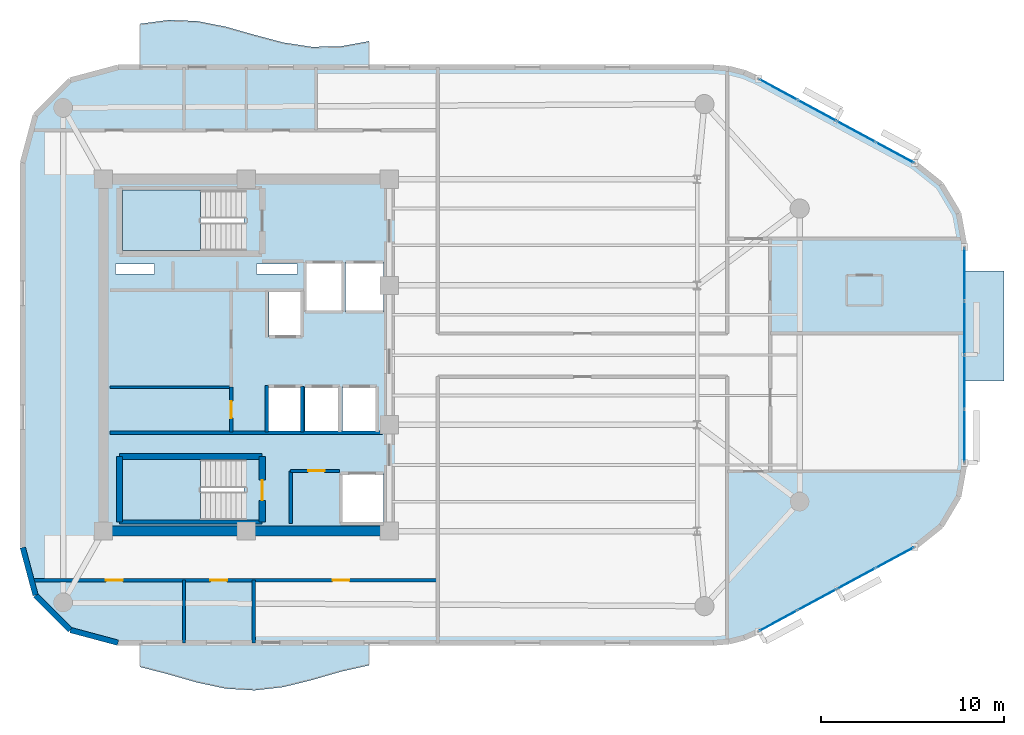
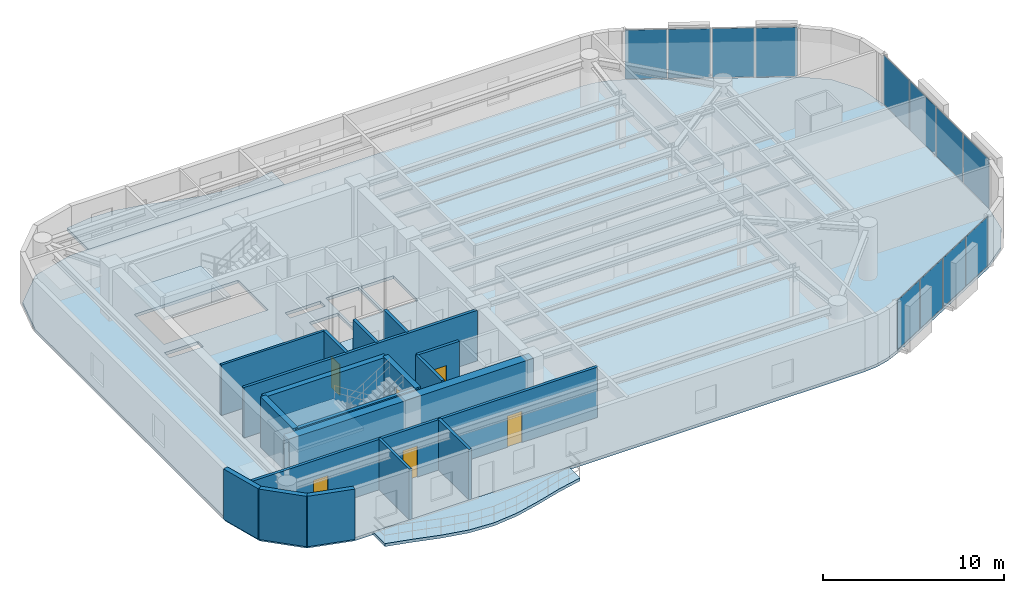
# One storey, part 8 of 13: 18 walls, 12 plates, 6 doors, 6 slabs, 6 openings, 5 elements without a shape of their own.
"""IFC4 building model written with IfcOpenShell, lengths in metres."""

from ifc_helpers import new_model, si_unit, direction, frame, frame_2d, origin, origin_2d, place, context, subcontext, project, spatial, polyline, rectangle, outline, extrude, material, layer, layer_set, type_object, element, fill, aggregate, save


model = new_model("IFC4")

# Units and contexts
model_context = context("Model", 3, precision=1e-05, world=origin(), true_north=direction((0.0, 1.0)))
body_context = subcontext(model_context, "Body", "Model", "MODEL_VIEW")
ifc_project = project(units=[si_unit("LENGTHUNIT", "METRE"), si_unit("AREAUNIT", "SQUARE_METRE"), si_unit("VOLUMEUNIT", "CUBIC_METRE"), si_unit("PLANEANGLEUNIT", "RADIAN"), si_unit("MASSUNIT", "GRAM", prefix="KILO")], contexts=[model_context])

# Site, building, storey
site_placement = place(None, origin())
site = spatial("IfcSite", under=ifc_project, at=site_placement, CompositionType="ELEMENT")
building_placement = place(site_placement, origin())
building = spatial("IfcBuilding", under=site, at=building_placement, Name="An Khanh Terracotta Commons", CompositionType="ELEMENT")
storey_placement = place(building_placement, frame((0.0, 0.0, 233.699951171875)))
storey = spatial("IfcBuildingStorey", under=building, at=storey_placement, Name="L61", CompositionType="ELEMENT", Elevation=233.699951171875)

# Curtain wall, plates
ifc_material_1 = material(Name="Anodised Aluminium 6063-T6", Category="aluminium")
ifc_layer_1 = layer(ifc_material_1, 0.2099609375, Name="Anodised Aluminium 6063-T6")
ifc_layer_set_1 = layer_set([ifc_layer_1], Name="Anodised Aluminium 6063-T6")
curtain_wall_type = type_object("IfcCurtainWallType", Name="CW-SYS-03", PredefinedType="USERDEFINED", material=ifc_layer_set_1)
curtain_wall_1_placement = place(storey_placement, origin())
curtain_wall_1 = element("IfcCurtainWall", 1, at=curtain_wall_1_placement, inside=storey, type_object=curtain_wall_type, Name="L61 CW-03 Unitised Curtain Wall CW-L61-08", ObjectType="UNITISED CURTAIN WALL", PredefinedType="USERDEFINED")
ifc_material_2 = material(Name="Acoustic Laminated Low-E Glazing", Category="glass")
ifc_layer_2 = layer(ifc_material_2, 0.035888671875, Name="Acoustic Laminated Low-E Glazing")
ifc_layer_set_2 = layer_set([ifc_layer_2], Name="Acoustic Laminated Low-E Glazing")
plate_type = type_object("IfcPlateType", Name="CWP-IGU-36", PredefinedType="CURTAIN_PANEL", material=ifc_layer_set_2)
plate_1_placement = place(storey_placement, frame((58.436767578125, 9.508544921875, 0.0498046875), z_axis=(0.0, 0.0, 1.0), x_axis=(0.879780095306, 0.47538088298, 0.0)))
plate_1 = element("IfcPlate", 2, at=plate_1_placement, type_object=plate_type, Name="CW-03 panel 1.1", PredefinedType="CURTAIN_PANEL", context=body_context, shape_type="SweptSolid", body=[
    extrude(rectangle(XDim=2.314697265625, YDim=0.035888671875, at=origin_2d()), origin(), (0.0, 0.0, 1.0), 3.300048828125),
])
plate_2_placement = place(storey_placement, frame((60.550048828125, 10.650390625, 0.0498046875), z_axis=(0.0, 0.0, 1.0), x_axis=(0.879780095306, 0.47538088298, 0.0)))
plate_2 = element("IfcPlate", 3, at=plate_2_placement, type_object=plate_type, Name="CW-03 panel 2.1", PredefinedType="CURTAIN_PANEL", context=body_context, shape_type="SweptSolid", body=[
    extrude(rectangle(XDim=2.349609375, YDim=0.035888671875, at=origin_2d()), origin(), (0.0, 0.0, 1.0), 3.300048828125),
])
plate_3_placement = place(storey_placement, frame((62.678955078125, 11.800537109375, 0.0498046875), z_axis=(0.0, 0.0, 1.0), x_axis=(0.879780095306, 0.47538088298, 0.0)))
plate_3 = element("IfcPlate", 4, at=plate_3_placement, type_object=plate_type, Name="CW-03 panel 3.1", PredefinedType="CURTAIN_PANEL", context=body_context, shape_type="SweptSolid", body=[
    extrude(rectangle(XDim=2.349609375, YDim=0.035888671875, at=origin_2d()), origin(), (0.0, 0.0, 1.0), 3.300048828125),
])
plate_4_placement = place(storey_placement, frame((64.792236328125, 12.942626953125, 0.0498046875), z_axis=(0.0, 0.0, 1.0), x_axis=(0.879780095306, 0.47538088298, 0.0)))
plate_4 = element("IfcPlate", 5, at=plate_4_placement, type_object=plate_type, Name="CW-03 panel 4.1", PredefinedType="CURTAIN_PANEL", context=body_context, shape_type="SweptSolid", body=[
    extrude(rectangle(XDim=2.314697265625, YDim=0.035888671875, at=origin_2d()), origin(), (0.0, 0.0, 1.0), 3.300048828125),
])
aggregate(curtain_wall_1, [plate_1, plate_2, plate_3, plate_4])

curtain_wall_2_placement = place(storey_placement, origin())
curtain_wall_2 = element("IfcCurtainWall", 6, at=curtain_wall_2_placement, inside=storey, type_object=curtain_wall_type, Name="L61 CW-03 Unitised Curtain Wall CW-L61-12", ObjectType="UNITISED CURTAIN WALL", PredefinedType="USERDEFINED")
plate_5_placement = place(storey_placement, frame((68.60009765625, 19.59326171875, 0.0498046875), z_axis=(0.0, 0.0, 1.0), x_axis=(0.0, 1.0, 0.0)))
plate_5 = element("IfcPlate", 7, at=plate_5_placement, type_object=plate_type, Name="CW-03 panel 1.1", PredefinedType="CURTAIN_PANEL", context=body_context, shape_type="SweptSolid", body=[
    extrude(rectangle(XDim=2.844482421875, YDim=0.035888671875, at=origin_2d()), origin(), (0.0, 0.0, 1.0), 3.300048828125),
])
plate_6_placement = place(storey_placement, frame((68.60009765625, 22.525146484375, 0.0498046875), z_axis=(0.0, 0.0, 1.0), x_axis=(0.0, 1.0, 0.0)))
plate_6 = element("IfcPlate", 8, at=plate_6_placement, type_object=plate_type, Name="CW-03 panel 2.1", PredefinedType="CURTAIN_PANEL", context=body_context, shape_type="SweptSolid", body=[
    extrude(rectangle(XDim=2.87939453125, YDim=0.035888671875, at=origin_2d()), origin(), (0.0, 0.0, 1.0), 3.300048828125),
])
plate_7_placement = place(storey_placement, frame((68.60009765625, 25.474853515625, 0.0498046875), z_axis=(0.0, 0.0, 1.0), x_axis=(0.0, 1.0, 0.0)))
plate_7 = element("IfcPlate", 9, at=plate_7_placement, type_object=plate_type, Name="CW-03 panel 3.1", PredefinedType="CURTAIN_PANEL", context=body_context, shape_type="SweptSolid", body=[
    extrude(rectangle(XDim=2.87939453125, YDim=0.035888671875, at=origin_2d()), origin(), (0.0, 0.0, 1.0), 3.300048828125),
])
plate_8_placement = place(storey_placement, frame((68.60009765625, 28.40673828125, 0.0498046875), z_axis=(0.0, 0.0, 1.0), x_axis=(0.0, 1.0, 0.0)))
plate_8 = element("IfcPlate", 10, at=plate_8_placement, type_object=plate_type, Name="CW-03 panel 4.1", PredefinedType="CURTAIN_PANEL", context=body_context, shape_type="SweptSolid", body=[
    extrude(rectangle(XDim=2.844482421875, YDim=0.035888671875, at=origin_2d()), origin(), (0.0, 0.0, 1.0), 3.300048828125),
])
aggregate(curtain_wall_2, [plate_5, plate_6, plate_7, plate_8])

curtain_wall_3_placement = place(storey_placement, origin())
curtain_wall_3 = element("IfcCurtainWall", 11, at=curtain_wall_3_placement, inside=storey, type_object=curtain_wall_type, Name="L61 CW-03 Unitised Curtain Wall CW-L61-16", ObjectType="UNITISED CURTAIN WALL", PredefinedType="USERDEFINED")
plate_9_placement = place(storey_placement, frame((64.792236328125, 35.057373046875, 0.0498046875), z_axis=(0.0, 0.0, 1.0), x_axis=(-0.879780095306, 0.47538088298, 0.0)))
plate_9 = element("IfcPlate", 12, at=plate_9_placement, type_object=plate_type, Name="CW-03 panel 1.1", PredefinedType="CURTAIN_PANEL", context=body_context, shape_type="SweptSolid", body=[
    extrude(rectangle(XDim=2.314697265625, YDim=0.035888671875, at=origin_2d()), origin(), (0.0, 0.0, 1.0), 3.300048828125),
])
plate_10_placement = place(storey_placement, frame((62.678955078125, 36.199462890625, 0.0498046875), z_axis=(0.0, 0.0, 1.0), x_axis=(-0.879780095306, 0.47538088298, 0.0)))
plate_10 = element("IfcPlate", 13, at=plate_10_placement, type_object=plate_type, Name="CW-03 panel 2.1", PredefinedType="CURTAIN_PANEL", context=body_context, shape_type="SweptSolid", body=[
    extrude(rectangle(XDim=2.349609375, YDim=0.035888671875, at=origin_2d()), origin(), (0.0, 0.0, 1.0), 3.300048828125),
])
plate_11_placement = place(storey_placement, frame((60.550048828125, 37.349609375, 0.0498046875), z_axis=(0.0, 0.0, 1.0), x_axis=(-0.879780095306, 0.47538088298, 0.0)))
plate_11 = element("IfcPlate", 14, at=plate_11_placement, type_object=plate_type, Name="CW-03 panel 3.1", PredefinedType="CURTAIN_PANEL", context=body_context, shape_type="SweptSolid", body=[
    extrude(rectangle(XDim=2.349609375, YDim=0.035888671875, at=origin_2d()), origin(), (0.0, 0.0, 1.0), 3.300048828125),
])
plate_12_placement = place(storey_placement, frame((58.436767578125, 38.491455078125, 0.0498046875), z_axis=(0.0, 0.0, 1.0), x_axis=(-0.879780095306, 0.47538088298, 0.0)))
plate_12 = element("IfcPlate", 15, at=plate_12_placement, type_object=plate_type, Name="CW-03 panel 4.1", PredefinedType="CURTAIN_PANEL", context=body_context, shape_type="SweptSolid", body=[
    extrude(rectangle(XDim=2.314697265625, YDim=0.035888671875, at=origin_2d()), origin(), (0.0, 0.0, 1.0), 3.300048828125),
])
aggregate(curtain_wall_3, [plate_9, plate_10, plate_11, plate_12])

# Slabs
ifc_material_3 = material(Name="Concrete C40/50", Category="concrete")
ifc_layer_3 = layer(ifc_material_3, 0.199951171875, Name="Concrete C40/50")
ifc_layer_set_3 = layer_set([ifc_layer_3], Name="Concrete C40/50")
slab_type_1 = type_object("IfcSlabType", Name="SLAB-BALC-200", PredefinedType="FLOOR", material=ifc_layer_set_3)
slab_1_placement = place(storey_placement, frame((0.0, 0.0, -0.199951171875)))
element("IfcSlab", 16, at=slab_1_placement, inside=storey, type_object=slab_type_1, Name="L61 S Sinusoidal Wave Balcony Slab", PredefinedType="FLOOR", context=body_context, shape_type="SweptSolid", body=[
    extrude(outline(polyline([(23.60009765625, 8.300048828125), (23.60009765625, 6.97998046875), (25.1630859375, 6.577880859375), (26.72509765625, 6.12890625), (28.2880859375, 5.797119140625), (29.85009765625, 5.7041015625), (31.4130859375, 5.882080078125), (32.97509765625, 6.26806640625), (34.5380859375, 6.719970703125), (36.10009765625, 7.073974609375), (36.10009765625, 8.300048828125), (23.60009765625, 8.300048828125)])), origin(), (0.0, 0.0, 1.0), 0.199951171875),
])
slab_2_placement = place(storey_placement, frame((0.0, 0.0, -0.199951171875)))
element("IfcSlab", 17, at=slab_2_placement, inside=storey, type_object=slab_type_1, Name="L61 N Sinusoidal Wave Balcony Slab", PredefinedType="FLOOR", context=body_context, shape_type="SweptSolid", body=[
    extrude(outline(polyline([(36.10009765625, 39.699951171875), (36.10009765625, 41.133056640625), (34.5380859375, 40.85009765625), (32.97509765625, 40.822021484375), (31.4130859375, 41.06005859375), (29.85009765625, 41.47607421875), (28.2880859375, 41.919921875), (26.72509765625, 42.22802734375), (25.1630859375, 42.2890625), (23.60009765625, 42.080078125), (23.60009765625, 39.699951171875), (36.10009765625, 39.699951171875)])), origin(), (0.0, 0.0, 1.0), 0.199951171875),
])
ifc_layer_4 = layer(ifc_material_3, 0.22998046875, Name="Concrete C40/50")
ifc_layer_set_4 = layer_set([ifc_layer_4], Name="Concrete C40/50")
slab_type_2 = type_object("IfcSlabType", Name="SLAB-BOXROOF-230", PredefinedType="ROOF", material=ifc_layer_set_4)
slab_3_placement = place(storey_placement, frame((0.0, 0.0, -0.199951171875)))
element("IfcSlab", 18, at=slab_3_placement, inside=storey, type_object=slab_type_2, Name="L61 Shifted Social Kitchen Box Closing Roof Slab (L60)", PredefinedType="ROOF", context=body_context, shape_type="SweptSolid", body=[
    extrude(outline(polyline([(68.60009765625, 22.60009765625), (70.75, 22.60009765625), (70.75, 28.60009765625), (68.60009765625, 28.60009765625), (68.60009765625, 22.60009765625)])), origin(), (0.0, 0.0, 1.0), 0.199951171875),
])

# Stair, slab
ifc_material_4 = material(Name="Precast concrete C40/50", Category="concrete")
stair_type = type_object("IfcStairType", Name="STAIR-CORE-1550", PredefinedType="HALF_TURN_STAIR", material=ifc_material_4)
stair_1_placement = place(storey_placement, origin())
stair_1 = element("IfcStair", 19, at=stair_1_placement, inside=storey, type_object=stair_type, Name="L61 Core Smokeproof Exit Stair ST-01", PredefinedType="HALF_TURN_STAIR")
ifc_layer_5 = layer(ifc_material_3, 0.18994140625, Name="Concrete C40/50")
ifc_layer_set_5 = layer_set([ifc_layer_5], Name="Concrete C40/50")
slab_type_3 = type_object("IfcSlabType", Name="SLAB-LANDING-190", PredefinedType="LANDING", material=ifc_layer_set_5)
slab_4_placement = place(storey_placement, frame((0.0, 0.0, 1.60009765625)))
slab_4 = element("IfcSlab", 20, at=slab_4_placement, type_object=slab_type_3, Name="ST-01 landing 1", PredefinedType="LANDING", context=body_context, shape_type="SweptSolid", body=[
    extrude(outline(polyline([(26.889892578125, 33.0), (22.64990234375, 33.0), (22.64990234375, 29.699951171875), (26.889892578125, 29.699951171875), (26.889892578125, 33.0)])), origin(), (0.0, 0.0, 1.0), 0.199951171875),
])
aggregate(stair_1, [slab_4])

stair_2_placement = place(storey_placement, origin())
stair_2 = element("IfcStair", 21, at=stair_2_placement, inside=storey, type_object=stair_type, Name="L61 Core Smokeproof Exit Stair ST-02", PredefinedType="HALF_TURN_STAIR")
slab_5_placement = place(storey_placement, frame((0.0, 0.0, 1.60009765625)))
slab_5 = element("IfcSlab", 22, at=slab_5_placement, type_object=slab_type_3, Name="ST-02 landing 1", PredefinedType="LANDING", context=body_context, shape_type="SweptSolid", body=[
    extrude(outline(polyline([(26.889892578125, 18.300048828125), (22.64990234375, 18.300048828125), (22.64990234375, 15.0), (26.889892578125, 15.0), (26.889892578125, 18.300048828125)])), origin(), (0.0, 0.0, 1.0), 0.199951171875),
])
aggregate(stair_2, [slab_5])

# Slab
ifc_layer_6 = layer(ifc_material_3, 0.199951171875, Name="Concrete C40/50")
ifc_layer_set_6 = layer_set([ifc_layer_6], Name="Concrete C40/50")
slab_type_4 = type_object("IfcSlabType", Name="SLAB-TYP-200", PredefinedType="FLOOR", material=ifc_layer_set_6)
slab_6_placement = place(storey_placement, frame((0.0, 0.0, -0.199951171875)))
element("IfcSlab", 23, at=slab_6_placement, inside=storey, type_object=slab_type_4, Name="L61 Structural Floor Slab", PredefinedType="FLOOR", context=body_context, shape_type="SweptSolid", body=[
    extrude(outline(polyline([(17.199951171875, 13.5), (17.89697265625, 10.89990234375), (19.800048828125, 8.9970703125), (22.39990234375, 8.300048828125), (54.885009765625, 8.300048828125), (55.739990234375, 8.37109375), (56.571044921875, 8.5810546875), (57.35693359375, 8.925048828125), (65.8720703125, 13.52587890625), (67.320068359375, 14.68408203125), (68.26904296875, 16.27587890625), (68.60009765625, 18.10107421875), (68.60009765625, 29.89892578125), (68.26904296875, 31.72412109375), (67.320068359375, 33.31591796875), (65.8720703125, 34.47412109375), (57.35693359375, 39.074951171875), (56.571044921875, 39.4189453125), (55.739990234375, 39.62890625), (54.885009765625, 39.699951171875), (22.39990234375, 39.699951171875), (19.800048828125, 39.0029296875), (17.89697265625, 37.10009765625), (17.199951171875, 34.5), (17.199951171875, 13.5)]), holes=[polyline([(22.64990234375, 29.699951171875), (29.27001953125, 29.699951171875), (29.27001953125, 33.0), (22.64990234375, 33.0), (22.64990234375, 29.699951171875)]), polyline([(22.64990234375, 15.0), (29.27001953125, 15.0), (29.27001953125, 18.300048828125), (22.64990234375, 18.300048828125), (22.64990234375, 15.0)]), polyline([(32.60009765625, 26.35009765625), (34.679931640625, 26.35009765625), (34.679931640625, 29.080078125), (32.60009765625, 29.080078125), (32.60009765625, 26.35009765625)]), polyline([(34.820068359375, 26.35009765625), (36.89990234375, 26.35009765625), (36.89990234375, 29.080078125), (34.820068359375, 29.080078125), (34.820068359375, 26.35009765625)]), polyline([(34.550048828125, 14.800048828125), (36.89990234375, 14.800048828125), (36.89990234375, 17.550048828125), (34.550048828125, 17.550048828125), (34.550048828125, 14.800048828125)]), polyline([(30.639892578125, 25.0), (32.4599609375, 25.0), (32.4599609375, 27.5), (30.639892578125, 27.5), (30.639892578125, 25.0)]), polyline([(30.56005859375, 19.800048828125), (32.4599609375, 19.800048828125), (32.4599609375, 22.300048828125), (30.56005859375, 22.300048828125), (30.56005859375, 19.800048828125)]), polyline([(32.60009765625, 19.800048828125), (34.5, 19.800048828125), (34.5, 22.300048828125), (32.60009765625, 22.300048828125), (32.60009765625, 19.800048828125)]), polyline([(34.639892578125, 19.800048828125), (36.5400390625, 19.800048828125), (36.5400390625, 22.300048828125), (34.639892578125, 22.300048828125), (34.639892578125, 19.800048828125)]), polyline([(22.25, 28.419921875), (24.39990234375, 28.419921875), (24.39990234375, 28.97998046875), (22.25, 28.97998046875), (22.25, 28.419921875)]), polyline([(29.949951171875, 28.419921875), (32.199951171875, 28.419921875), (32.199951171875, 28.97998046875), (29.949951171875, 28.97998046875), (29.949951171875, 28.419921875)])]), origin(), (0.0, 0.0, 1.0), 0.199951171875),
])

# Walls
ifc_material_5 = material(Name="Concrete C50/60", Category="concrete")
ifc_layer_7 = layer(ifc_material_5, 0.550048828125, Name="Concrete C50/60")
ifc_layer_set_7 = layer_set([ifc_layer_7], Name="Concrete C50/60")
wall_type_1 = type_object("IfcWallType", Name="WALL-CORE-550", PredefinedType="SHEAR", material=ifc_layer_set_7)
wall_1_placement = place(storey_placement, frame((37.199951171875, 14.39990234375, 0.0), z_axis=(0.0, 0.0, 1.0), x_axis=(-1.0, 0.0, 0.0)))
element("IfcWall", 24, at=wall_1_placement, inside=storey, type_object=wall_type_1, Name="L61 Core Wall CWALL-L61-S", PredefinedType="SHEAR", context=body_context, shape_type="SweptSolid", body=[
    extrude(rectangle(XDim=15.599853515625, YDim=0.550048828125, at=frame_2d((7.7998046875, 0.0))), origin(), (0.0, 0.0, 1.0), 3.400146484375),
])
ifc_material_6 = material(Name="Fire-Rated Gypsum Board on Steel Stud", Category="steel")
ifc_layer_8 = layer(ifc_material_6, 0.179931640625, Name="Fire-Rated Gypsum Board on Steel Stud")
ifc_layer_set_8 = layer_set([ifc_layer_8], Name="Fire-Rated Gypsum Board on Steel Stud")
wall_type_2 = type_object("IfcWallType", Name="WALL-CORR-180", PredefinedType="PARTITIONING", material=ifc_layer_set_8)
wall_2_placement = place(storey_placement, frame((21.949951171875, 19.760009765625, 0.0), z_axis=(0.0, 0.0, 1.0), x_axis=(1.0, 0.0, 0.0)))
element("IfcWall", 25, at=wall_2_placement, inside=storey, type_object=wall_type_2, Name="L61 Core Wall SVW-L61-N", PredefinedType="PARTITIONING", context=body_context, shape_type="SweptSolid", body=[
    extrude(rectangle(XDim=14.8701171875, YDim=0.179931640625, at=frame_2d((7.43505859375, 0.0))), origin(), (0.0, 0.0, 1.0), 3.400146484375),
])

# Wall, opening, door
wall_3_placement = place(storey_placement, frame((31.820068359375, 17.679931640625, 0.0), z_axis=(0.0, 0.0, 1.0), x_axis=(1.0, 0.0, 0.0)))
wall_3 = element("IfcWall", 26, at=wall_3_placement, inside=storey, type_object=wall_type_2, Name="L61 Core Wall SSVCW-L61-N", PredefinedType="PARTITIONING", context=body_context, shape_type="SweptSolid", body=[
    extrude(rectangle(XDim=2.659912109375, YDim=0.179931640625, at=frame_2d((1.330078125, 0.0))), origin(), (0.0, 0.0, 1.0), 3.400146484375),
])
opening_1_placement = place(wall_3_placement, frame((0.949951171875, 0.0, 0.0)))
opening_1 = element("IfcOpeningElement", 27, at=opening_1_placement, cuts=wall_3, Name="Opening D-SV", PredefinedType="OPENING", context=body_context, shape_type="SweptSolid", body=[
    extrude(rectangle(XDim=0.89990234375, YDim=2.050048828125, at=frame_2d((0.449951171875, 1.02490234375))), frame((0.0, 0.099853515625, 0.0), z_axis=(0.0, -1.0, 0.0), x_axis=(1.0, 0.0, 0.0)), (0.0, 0.0, 1.0), 0.199951171875),
])
ifc_material_7 = material(Name="Fire-Rated Powder-Coated Steel Door", Category="steel")
door_type_1 = type_object("IfcDoorType", Name="DOOR-SERV-900", OperationType="NOTDEFINED", PredefinedType="DOOR", material=ifc_material_7)
door_1_placement = place(opening_1_placement, origin())
door_1 = element("IfcDoor", 28, at=door_1_placement, inside=storey, type_object=door_type_1, Name="L61 Core Housekeeping Store Door", OperationType="SINGLE_SWING_LEFT", OverallHeight=2.050048828125, OverallWidth=0.89990234375, PredefinedType="DOOR", context=body_context, shape_type="SweptSolid", body=[
    extrude(rectangle(XDim=0.89990234375, YDim=2.050048828125, at=frame_2d((0.449951171875, 1.02490234375))), frame((0.0, 0.02490234375, 0.0), z_axis=(0.0, -1.0, 0.0), x_axis=(1.0, 0.0, 0.0)), (0.0, 0.0, 1.0), 0.050048828125),
])
fill(opening_1, door_1)

# Walls
wall_4_placement = place(storey_placement, frame((31.820068359375, 14.800048828125, 0.0), z_axis=(0.0, 0.0, 1.0), x_axis=(0.0, 1.0, 0.0)))
element("IfcWall", 29, at=wall_4_placement, inside=storey, type_object=wall_type_2, Name="L61 Core Wall SSVCW-L61-W", PredefinedType="PARTITIONING", context=body_context, shape_type="SweptSolid", body=[
    extrude(rectangle(XDim=2.8798828125, YDim=0.179931640625, at=frame_2d((1.43994140625, 0.0))), origin(), (0.0, 0.0, 1.0), 3.400146484375),
])
wall_5_placement = place(storey_placement, frame((32.4599609375, 19.800048828125, 0.0), z_axis=(0.0, 0.0, 1.0), x_axis=(0.0, 1.0, 0.0)))
element("IfcWall", 30, at=wall_5_placement, inside=storey, type_object=wall_type_2, Name="L61 Core Wall LSH-L61-PL-H2-E", PredefinedType="PARTITIONING", context=body_context, shape_type="SweptSolid", body=[
    extrude(rectangle(XDim=2.5, YDim=0.179931640625, at=frame_2d((1.25, 0.0))), origin(), (0.0, 0.0, 1.0), 3.400146484375),
])
wall_6_placement = place(storey_placement, frame((30.52001953125, 19.800048828125, 0.0), z_axis=(0.0, 0.0, 1.0), x_axis=(0.0, 1.0, 0.0)))
element("IfcWall", 31, at=wall_6_placement, inside=storey, type_object=wall_type_2, Name="L61 Core Wall RECW-L61-BE2", PredefinedType="PARTITIONING", context=body_context, shape_type="SweptSolid", body=[
    extrude(rectangle(XDim=2.550048828125, YDim=0.179931640625, at=frame_2d((1.27490234375, 0.0))), origin(), (0.0, 0.0, 1.0), 3.400146484375),
])

# Wall, opening, door
wall_7_placement = place(storey_placement, frame((28.580078125, 19.800048828125, 0.0), z_axis=(0.0, 0.0, 1.0), x_axis=(0.0, 1.0, 0.0)))
wall_7 = element("IfcWall", 32, at=wall_7_placement, inside=storey, type_object=wall_type_2, Name="L61 Core Wall RECW-L61-E2", PredefinedType="PARTITIONING", context=body_context, shape_type="SweptSolid", body=[
    extrude(rectangle(XDim=2.449951171875, YDim=0.179931640625, at=frame_2d((1.22509765625, 0.0))), origin(), (0.0, 0.0, 1.0), 3.400146484375),
])
opening_2_placement = place(wall_7_placement, frame((0.764892578125, 0.0, 0.0)))
opening_2 = element("IfcOpeningElement", 33, at=opening_2_placement, cuts=wall_7, Name="Opening D-RM", PredefinedType="OPENING", context=body_context, shape_type="SweptSolid", body=[
    extrude(rectangle(XDim=0.919921875, YDim=2.10009765625, at=frame_2d((0.4599609375, 1.050048828125))), frame((0.0, 0.099853515625, 0.0), z_axis=(0.0, -1.0, 0.0), x_axis=(1.0, 0.0, 0.0)), (0.0, 0.0, 1.0), 0.199951171875),
])
ifc_material_8 = material(Name="Engineered Hardwood Timber Leaf", Category="wood")
door_type_2 = type_object("IfcDoorType", Name="DOOR-INT-920", OperationType="NOTDEFINED", PredefinedType="DOOR", material=ifc_material_8)
door_2_placement = place(opening_2_placement, origin())
door_2 = element("IfcDoor", 34, at=door_2_placement, inside=storey, type_object=door_type_2, Name="L61 Floor Pantry and Ice Room Door", OperationType="SINGLE_SWING_LEFT", OverallHeight=2.10009765625, OverallWidth=0.919921875, PredefinedType="DOOR", context=body_context, shape_type="SweptSolid", body=[
    extrude(rectangle(XDim=0.919921875, YDim=2.10009765625, at=frame_2d((0.4599609375, 1.050048828125))), frame((0.0, 0.02490234375, 0.0), z_axis=(0.0, -1.0, 0.0), x_axis=(1.0, 0.0, 0.0)), (0.0, 0.0, 1.0), 0.050048828125),
])
fill(opening_2, door_2)

# Wall, openings, doors
wall_8_placement = place(storey_placement, frame((17.677001953125, 11.719970703125, 0.0), z_axis=(0.0, 0.0, 1.0), x_axis=(1.0, 0.0, 0.0)))
wall_8 = element("IfcWall", 35, at=wall_8_placement, inside=storey, type_object=wall_type_2, Name="L61 Interior Partition IW-L61-E001", PredefinedType="PARTITIONING", context=body_context, shape_type="SweptSolid", body=[
    extrude(rectangle(XDim=22.173095703125, YDim=0.179931640625, at=frame_2d((11.08642578125, 0.0))), origin(), (0.0, 0.0, 1.0), 3.400146484375),
])
opening_3_placement = place(wall_8_placement, frame((9.762939453125, 0.0, 0.0)))
opening_3 = element("IfcOpeningElement", 36, at=opening_3_placement, cuts=wall_8, Name="Opening D-RM", PredefinedType="OPENING", context=body_context, shape_type="SweptSolid", body=[
    extrude(rectangle(XDim=0.919921875, YDim=2.10009765625, at=frame_2d((0.4599609375, 1.050048828125))), frame((0.0, 0.099853515625, 0.0), z_axis=(0.0, -1.0, 0.0), x_axis=(1.0, 0.0, 0.0)), (0.0, 0.0, 1.0), 0.199951171875),
])
opening_4_placement = place(wall_8_placement, frame((4.06298828125, 0.0, 0.0)))
opening_4 = element("IfcOpeningElement", 37, at=opening_4_placement, cuts=wall_8, Name="Opening D-RM", PredefinedType="OPENING", context=body_context, shape_type="SweptSolid", body=[
    extrude(rectangle(XDim=0.919921875, YDim=2.10009765625, at=frame_2d((0.4599609375, 1.050048828125))), frame((0.0, 0.099853515625, 0.0), z_axis=(0.0, -1.0, 0.0), x_axis=(1.0, 0.0, 0.0)), (0.0, 0.0, 1.0), 0.199951171875),
])
opening_5_placement = place(wall_8_placement, frame((16.427978515625, 0.0, 0.0)))
opening_5 = element("IfcOpeningElement", 38, at=opening_5_placement, cuts=wall_8, Name="Opening D-RM", PredefinedType="OPENING", context=body_context, shape_type="SweptSolid", body=[
    extrude(rectangle(XDim=0.919921875, YDim=2.10009765625, at=frame_2d((0.4599609375, 1.050048828125))), frame((0.0, 0.099853515625, 0.0), z_axis=(0.0, -1.0, 0.0), x_axis=(1.0, 0.0, 0.0)), (0.0, 0.0, 1.0), 0.199951171875),
])
door_3_placement = place(opening_3_placement, origin())
door_3 = element("IfcDoor", 39, at=door_3_placement, inside=storey, type_object=door_type_2, Name="L61 HKP Housekeeping Linen Store Door", OperationType="SINGLE_SWING_LEFT", OverallHeight=2.10009765625, OverallWidth=0.919921875, PredefinedType="DOOR", context=body_context, shape_type="SweptSolid", body=[
    extrude(rectangle(XDim=0.919921875, YDim=2.10009765625, at=frame_2d((0.4599609375, 1.050048828125))), frame((0.0, 0.02490234375, 0.0), z_axis=(0.0, -1.0, 0.0), x_axis=(1.0, 0.0, 0.0)), (0.0, 0.0, 1.0), 0.050048828125),
])
fill(opening_3, door_3)
door_4_placement = place(opening_4_placement, origin())
door_4 = element("IfcDoor", 40, at=door_4_placement, inside=storey, type_object=door_type_2, Name="L61 SW1 Boardroom Meeting Room Door", OperationType="SINGLE_SWING_RIGHT", OverallHeight=2.10009765625, OverallWidth=0.919921875, PredefinedType="DOOR", context=body_context, shape_type="SweptSolid", body=[
    extrude(rectangle(XDim=0.919921875, YDim=2.10009765625, at=frame_2d((0.4599609375, 1.050048828125))), frame((0.0, 0.02490234375, 0.0), z_axis=(0.0, -1.0, 0.0), x_axis=(1.0, 0.0, 0.0)), (0.0, 0.0, 1.0), 0.050048828125),
])
fill(opening_4, door_4)
door_5_placement = place(opening_5_placement, origin())
door_5 = element("IfcDoor", 41, at=door_5_placement, inside=storey, type_object=door_type_2, Name="L61 SWE Academic Seminar Room Door", OperationType="SINGLE_SWING_LEFT", OverallHeight=2.10009765625, OverallWidth=0.919921875, PredefinedType="DOOR", context=body_context, shape_type="SweptSolid", body=[
    extrude(rectangle(XDim=0.919921875, YDim=2.10009765625, at=frame_2d((0.4599609375, 1.050048828125))), frame((0.0, 0.02490234375, 0.0), z_axis=(0.0, -1.0, 0.0), x_axis=(1.0, 0.0, 0.0)), (0.0, 0.0, 1.0), 0.050048828125),
])
fill(opening_5, door_5)

# Walls
for number, where, z_axis, x_axis, name in (
    (42, (26.0, 8.300048828125, 0.0), (0.0, 0.0, 1.0), (0.0, 1.0, 0.0), "L61 Interior Partition IW-L61-E008"),
    (43, (29.800048828125, 8.300048828125, 0.0), (0.0, 0.0, 1.0), (0.0, 1.0, 0.0), "L61 Interior Partition IW-L61-E011"),
):
    element("IfcWall", number, at=place(storey_placement, frame(where, z_axis=z_axis, x_axis=x_axis)), inside=storey, type_object=wall_type_2, Name=name, PredefinedType="PARTITIONING", context=body_context, shape_type="SweptSolid", body=[
        extrude(rectangle(XDim=3.419921875, YDim=0.179931640625, at=frame_2d((1.7099609375, 0.0))), origin(), (0.0, 0.0, 1.0), 3.400146484375),
    ])
ifc_layer_9 = layer(ifc_material_4, 0.300048828125, Name="Precast concrete C40/50")
ifc_layer_set_9 = layer_set([ifc_layer_9], Name="Precast concrete C40/50")
wall_type_3 = type_object("IfcWallType", Name="WALL-EXT-300", PredefinedType="SOLIDWALL", material=ifc_layer_set_9)
wall_9_placement = place(storey_placement, frame((17.199951171875, 13.5, 0.0), z_axis=(0.0, 0.0, 1.0), x_axis=(0.258932525951, -0.965895412042, 0.0)))
element("IfcWall", 44, at=wall_9_placement, inside=storey, type_object=wall_type_3, Name="L61 Insulated Terracotta Exterior Wall 1", PredefinedType="SOLIDWALL", context=body_context, shape_type="SweptSolid", body=[
    extrude(rectangle(XDim=2.69189453125, YDim=0.300048828125, at=frame_2d((1.345947265625, 0.0))), origin(), (0.0, 0.0, 1.0), 3.400146484375),
])
wall_10_placement = place(storey_placement, frame((17.89697265625, 10.89990234375, 0.0), z_axis=(0.0, 0.0, 1.0), x_axis=(0.707152139074, -0.70706142039, 0.0)))
element("IfcWall", 45, at=wall_10_placement, inside=storey, type_object=wall_type_3, Name="L61 Insulated Terracotta Exterior Wall 2", PredefinedType="SOLIDWALL", context=body_context, shape_type="SweptSolid", body=[
    extrude(rectangle(XDim=2.691162109375, YDim=0.300048828125, at=frame_2d((1.345703125, 0.0))), origin(), (0.0, 0.0, 1.0), 3.400146484375),
])
wall_11_placement = place(storey_placement, frame((19.800048828125, 8.9970703125, 0.0), z_axis=(0.0, 0.0, 1.0), x_axis=(0.965889330541, -0.258955210695, 0.0)))
element("IfcWall", 46, at=wall_11_placement, inside=storey, type_object=wall_type_3, Name="L61 Insulated Terracotta Exterior Wall 3", PredefinedType="SOLIDWALL", context=body_context, shape_type="SweptSolid", body=[
    extrude(rectangle(XDim=2.691650390625, YDim=0.300048828125, at=frame_2d((1.345703125, 0.0))), origin(), (0.0, 0.0, 1.0), 3.400146484375),
])
ifc_material_9 = material(Name="Acoustic Gypsum Board Partition")
ifc_layer_10 = layer(ifc_material_9, 0.14990234375, Name="Acoustic Gypsum Board Partition")
ifc_layer_set_10 = layer_set([ifc_layer_10], Name="Acoustic Gypsum Board Partition")
wall_type_4 = type_object("IfcWallType", Name="WALL-PART-150", PredefinedType="PARTITIONING", material=ifc_layer_set_10)
wall_12_placement = place(storey_placement, frame((21.949951171875, 22.25, 0.0), z_axis=(0.0, 0.0, 1.0), x_axis=(1.0, 0.0, 0.0)))
element("IfcWall", 47, at=wall_12_placement, inside=storey, type_object=wall_type_4, Name="L61 Core Wall RECW-L61-M", PredefinedType="PARTITIONING", context=body_context, shape_type="SweptSolid", body=[
    extrude(rectangle(XDim=6.630126953125, YDim=0.14990234375, at=frame_2d((3.31494140625, 0.0))), origin(), (0.0, 0.0, 1.0), 3.400146484375),
])
ifc_material_10 = material(Name="Acoustic Double-Stud Gypsum and Mineral Wool")
ifc_layer_11 = layer(ifc_material_10, 0.219970703125, Name="Acoustic Double-Stud Gypsum and Mineral Wool")
ifc_layer_set_11 = layer_set([ifc_layer_11], Name="Acoustic Double-Stud Gypsum and Mineral Wool")
wall_type_5 = type_object("IfcWallType", Name="WALL-PARTY-220", PredefinedType="PARTITIONING", material=ifc_layer_set_11)
wall_13_placement = place(storey_placement, frame((22.47998046875, 14.889892578125, 0.0), z_axis=(0.0, 0.0, 1.0), x_axis=(1.0, 0.0, 0.0)))
element("IfcWall", 48, at=wall_13_placement, inside=storey, type_object=wall_type_5, Name="L61 Core Wall STW-L61-S-S", PredefinedType="PARTITIONING", context=body_context, shape_type="SweptSolid", body=[
    extrude(rectangle(XDim=7.7900390625, YDim=0.219970703125, at=frame_2d((3.89501953125, 0.0))), origin(), (0.0, 0.0, 1.0), 3.400146484375),
])
ifc_layer_12 = layer(ifc_material_5, 0.35009765625, Name="Concrete C50/60")
ifc_layer_set_12 = layer_set([ifc_layer_12], Name="Concrete C50/60")
wall_type_6 = type_object("IfcWallType", Name="WALL-SHAFT-350", PredefinedType="SOLIDWALL", material=ifc_layer_set_12)
wall_14_placement = place(storey_placement, frame((22.47998046875, 18.469970703125, 0.0), z_axis=(0.0, 0.0, 1.0), x_axis=(1.0, 0.0, 0.0)))
element("IfcWall", 49, at=wall_14_placement, inside=storey, type_object=wall_type_6, Name="L61 Core Wall STW-L61-S-N", PredefinedType="SOLIDWALL", context=body_context, shape_type="SweptSolid", body=[
    extrude(rectangle(XDim=7.7900390625, YDim=0.35009765625, at=frame_2d((3.89501953125, 0.0))), origin(), (0.0, 0.0, 1.0), 3.400146484375),
])
wall_15_placement = place(storey_placement, frame((22.47998046875, 14.889892578125, 0.0), z_axis=(0.0, 0.0, 1.0), x_axis=(0.0, 1.0, 0.0)))
element("IfcWall", 50, at=wall_15_placement, inside=storey, type_object=wall_type_6, Name="L61 Core Wall STW-L61-S-W", PredefinedType="SOLIDWALL", context=body_context, shape_type="SweptSolid", body=[
    extrude(rectangle(XDim=3.580078125, YDim=0.35009765625, at=frame_2d((1.7900390625, 0.0))), origin(), (0.0, 0.0, 1.0), 3.400146484375),
])

# Wall, opening, door
wall_16_placement = place(storey_placement, frame((30.27001953125, 14.889892578125, 0.0), z_axis=(0.0, 0.0, 1.0), x_axis=(0.0, 1.0, 0.0)))
wall_16 = element("IfcWall", 51, at=wall_16_placement, inside=storey, type_object=wall_type_6, Name="L61 Core Wall STW-L61-S-E", PredefinedType="SOLIDWALL", context=body_context, shape_type="SweptSolid", body=[
    extrude(rectangle(XDim=3.580078125, YDim=0.35009765625, at=frame_2d((1.7900390625, 0.0))), origin(), (0.0, 0.0, 1.0), 3.400146484375),
])
opening_6_placement = place(wall_16_placement, frame((1.18994140625, 0.0, 0.0)))
opening_6 = element("IfcOpeningElement", 52, at=opening_6_placement, cuts=wall_16, Name="Opening D-ST", PredefinedType="OPENING", context=body_context, shape_type="SweptSolid", body=[
    extrude(rectangle(XDim=1.10009765625, YDim=2.14990234375, at=frame_2d((0.550048828125, 1.074951171875))), frame((0.0, 0.18505859375, 0.0), z_axis=(0.0, -1.0, 0.0), x_axis=(1.0, 0.0, 0.0)), (0.0, 0.0, 1.0), 0.3701171875),
])
ifc_material_11 = material(Name="Fire-Rated Steel Leaf and Frame", Category="steel")
door_type_3 = type_object("IfcDoorType", Name="DOOR-STAIR-1100", OperationType="NOTDEFINED", PredefinedType="DOOR", material=ifc_material_11)
door_6_placement = place(opening_6_placement, origin())
door_6 = element("IfcDoor", 53, at=door_6_placement, inside=storey, type_object=door_type_3, Name="L61 Stair ST-02 Fire Door", OperationType="SINGLE_SWING_RIGHT", OverallHeight=2.14990234375, OverallWidth=1.10009765625, PredefinedType="DOOR", context=body_context, shape_type="SweptSolid", body=[
    extrude(rectangle(XDim=1.10009765625, YDim=2.14990234375, at=frame_2d((0.550048828125, 1.074951171875))), frame((0.0, 0.02490234375, 0.0), z_axis=(0.0, -1.0, 0.0), x_axis=(1.0, 0.0, 0.0)), (0.0, 0.0, 1.0), 0.050048828125),
])
fill(opening_6, door_6)

save(model, "model.ifc")
